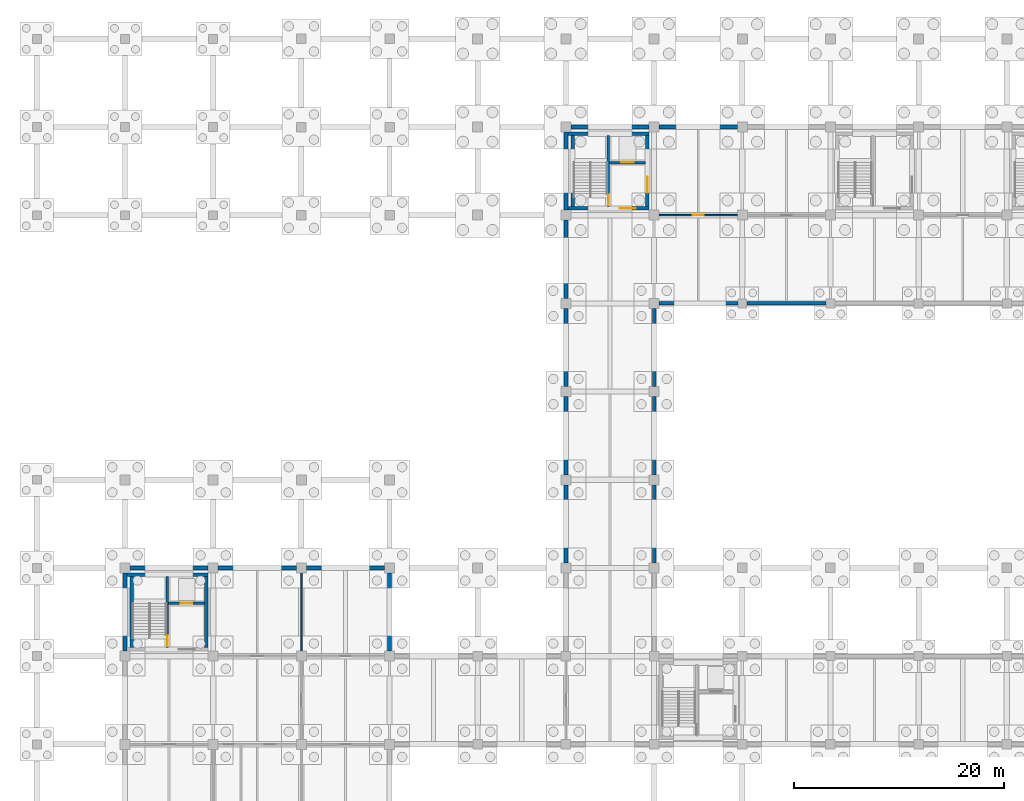
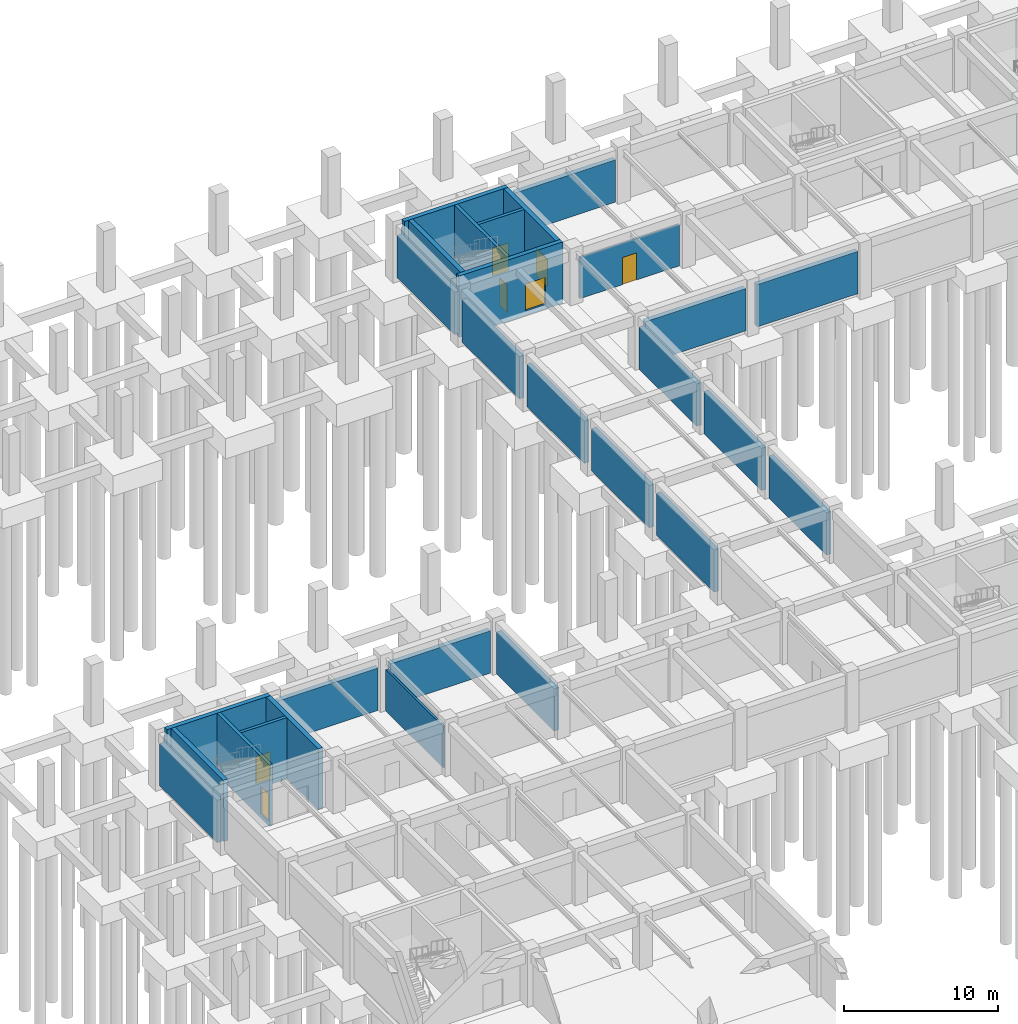
# One storey, part 21 of 29: 30 walls, 7 doors, 7 openings.
"""IFC4 building model written with IfcOpenShell, lengths in metres."""

from ifc_helpers import new_model, si_unit, direction, frame, frame_2d, origin, place, context, subcontext, project, spatial, rectangle, extrude, material, layer, layer_set, type_object, element, fill, save


model = new_model("IFC4")

# Units and contexts
model_context = context("Model", 3, precision=1e-05, world=origin(), true_north=direction((0.0, 1.0)))
body_context = subcontext(model_context, "Body", "Model", "MODEL_VIEW")
ifc_project = project(units=[si_unit("LENGTHUNIT", "METRE"), si_unit("AREAUNIT", "SQUARE_METRE"), si_unit("VOLUMEUNIT", "CUBIC_METRE"), si_unit("PLANEANGLEUNIT", "RADIAN"), si_unit("MASSUNIT", "GRAM", prefix="KILO")], contexts=[model_context])

# Site, building, storey
site_placement = place(None, origin())
site = spatial("IfcSite", under=ifc_project, at=site_placement, CompositionType="ELEMENT")
building_placement = place(site_placement, origin())
building = spatial("IfcBuilding", under=site, at=building_placement, Name="Porcellanite Civic Hall", CompositionType="ELEMENT")
storey_placement = place(building_placement, frame((0.0, 0.0, -4.5)))
storey = spatial("IfcBuildingStorey", under=building, at=storey_placement, Name="B1", CompositionType="ELEMENT", Elevation=-4.5)

# Wall, opening, door
ifc_material_1 = material(Name="Concrete N40 (40 MPa)", Category="concrete")
ifc_layer_1 = layer(ifc_material_1, 0.239990234375)
ifc_layer_set_1 = layer_set([ifc_layer_1], Name="Concrete N40 (40 MPa)")
wall_type_1 = type_object("IfcWallType", Name="CW-SH240", PredefinedType="SHEAR", material=ifc_layer_set_1)
wall_1_placement = place(storey_placement, frame((12.43994140625, 59.610107421875, -0.35009765625), z_axis=(0.0, 0.0, 1.0), x_axis=(0.0, 1.0, 0.0)))
wall_1 = element("IfcWall", 1, at=wall_1_placement, inside=storey, type_object=wall_type_1, Name="Core divider C2 B1", PredefinedType="SHEAR", context=body_context, shape_type="SweptSolid", body=[
    extrude(rectangle(XDim=6.77978515625, YDim=0.239990234375, at=frame_2d((3.389892578125, 0.0))), origin(), (0.0, 0.0, 1.0), 4.85009765625),
])
opening_1_placement = place(wall_1_placement, frame((0.1201171875, 0.0, 0.35009765625)))
opening_1 = element("IfcOpeningElement", 2, at=opening_1_placement, cuts=wall_1, Name="Opening FD-C2-B1-ST", PredefinedType="OPENING", context=body_context, shape_type="SweptSolid", body=[
    extrude(rectangle(XDim=1.0, YDim=2.14990234375, at=frame_2d((0.5, 1.074951171875))), frame((0.0, 0.1201171875, 0.0), z_axis=(0.0, -1.0, 0.0), x_axis=(1.0, 0.0, 0.0)), (0.0, 0.0, 1.0), 0.239990234375),
])
ifc_material_2 = material(Name="Fire-rated solid-core hardwood timber", Category="wood")
door_type_1 = type_object("IfcDoorType", Name="DR-FD100", OperationType="NOTDEFINED", PredefinedType="DOOR", material=ifc_material_2)
door_1_placement = place(opening_1_placement, origin())
door_1 = element("IfcDoor", 3, at=door_1_placement, inside=storey, type_object=door_type_1, Name="Fire stair door FD-C2-B1-ST", OperationType="SINGLE_SWING_LEFT", OverallHeight=2.14990234375, OverallWidth=1.0, PredefinedType="DOOR", context=body_context, shape_type="SweptSolid", body=[
    extrude(rectangle(XDim=1.0, YDim=2.14990234375, at=frame_2d((0.5, 1.074951171875))), frame((0.0, 0.02490234375, 0.0), z_axis=(0.0, -1.0, 0.0), x_axis=(1.0, 0.0, 0.0)), (0.0, 0.0, 1.0), 0.050048828125),
])
fill(opening_1, door_1)

wall_2_placement = place(storey_placement, frame((12.56005859375, 63.820068359375, -0.35009765625), z_axis=(0.0, 0.0, 1.0), x_axis=(1.0, 0.0, 0.0)))
wall_2 = element("IfcWall", 4, at=wall_2_placement, inside=storey, type_object=wall_type_1, Name="Lift shaft wall C2 B1", PredefinedType="SHEAR", context=body_context, shape_type="SweptSolid", body=[
    extrude(rectangle(XDim=3.429931640625, YDim=0.239990234375, at=frame_2d((1.71484375, 0.0))), origin(), (0.0, 0.0, 1.0), 4.85009765625),
])
opening_2_placement = place(wall_2_placement, frame((1.1650390625, 0.0, 0.35009765625)))
opening_2 = element("IfcOpeningElement", 5, at=opening_2_placement, cuts=wall_2, Name="Opening LD-04", PredefinedType="OPENING", context=body_context, shape_type="SweptSolid", body=[
    extrude(rectangle(XDim=1.10009765625, YDim=2.14990234375, at=frame_2d((0.550048828125, 1.074951171875))), frame((0.0, 0.1201171875, 0.0), z_axis=(0.0, -1.0, 0.0), x_axis=(1.0, 0.0, 0.0)), (0.0, 0.0, 1.0), 0.239990234375),
])
ifc_material_3 = material(Name="Brushed stainless steel 316", Category="steel")
door_type_2 = type_object("IfcDoorType", Name="DR-LD110", OperationType="DOUBLE_DOOR_SLIDING", PredefinedType="DOOR", material=ifc_material_3)
door_2_placement = place(opening_2_placement, origin())
door_2 = element("IfcDoor", 6, at=door_2_placement, inside=storey, type_object=door_type_2, Name="Lift landing sliding door LD-04 B1", OperationType="DOUBLE_DOOR_SLIDING", OverallHeight=2.14990234375, OverallWidth=1.10009765625, PredefinedType="DOOR", context=body_context, shape_type="SweptSolid", body=[
    extrude(rectangle(XDim=1.10009765625, YDim=2.14990234375, at=frame_2d((0.550048828125, 1.074951171875))), frame((0.0, 0.02490234375, 0.0), z_axis=(0.0, -1.0, 0.0), x_axis=(1.0, 0.0, 0.0)), (0.0, 0.0, 1.0), 0.050048828125),
])
fill(opening_2, door_2)

wall_3_placement = place(storey_placement, frame((54.43994140625, 101.610107421875, -0.35009765625), z_axis=(0.0, 0.0, 1.0), x_axis=(0.0, 1.0, 0.0)))
wall_3 = element("IfcWall", 7, at=wall_3_placement, inside=storey, type_object=wall_type_1, Name="Core divider C3 B1", PredefinedType="SHEAR", context=body_context, shape_type="SweptSolid", body=[
    extrude(rectangle(XDim=6.77978515625, YDim=0.239990234375, at=frame_2d((3.389892578125, 0.0))), origin(), (0.0, 0.0, 1.0), 4.85009765625),
])
opening_3_placement = place(wall_3_placement, frame((0.1201171875, 0.0, 0.35009765625)))
opening_3 = element("IfcOpeningElement", 8, at=opening_3_placement, cuts=wall_3, Name="Opening FD-C3-B1-ST", PredefinedType="OPENING", context=body_context, shape_type="SweptSolid", body=[
    extrude(rectangle(XDim=1.0, YDim=2.14990234375, at=frame_2d((0.5, 1.074951171875))), frame((0.0, 0.1201171875, 0.0), z_axis=(0.0, -1.0, 0.0), x_axis=(1.0, 0.0, 0.0)), (0.0, 0.0, 1.0), 0.239990234375),
])
door_3_placement = place(opening_3_placement, origin())
door_3 = element("IfcDoor", 9, at=door_3_placement, inside=storey, type_object=door_type_1, Name="Fire stair door FD-C3-B1-ST", OperationType="SINGLE_SWING_RIGHT", OverallHeight=2.14990234375, OverallWidth=1.0, PredefinedType="DOOR", context=body_context, shape_type="SweptSolid", body=[
    extrude(rectangle(XDim=1.0, YDim=2.14990234375, at=frame_2d((0.5, 1.074951171875))), frame((0.0, 0.02490234375, 0.0), z_axis=(0.0, -1.0, 0.0), x_axis=(1.0, 0.0, 0.0)), (0.0, 0.0, 1.0), 0.050048828125),
])
fill(opening_3, door_3)

wall_4_placement = place(storey_placement, frame((54.56005859375, 105.820068359375, -0.35009765625), z_axis=(0.0, 0.0, 1.0), x_axis=(1.0, 0.0, 0.0)))
wall_4 = element("IfcWall", 10, at=wall_4_placement, inside=storey, type_object=wall_type_1, Name="Lift shaft wall C3 B1", PredefinedType="SHEAR", context=body_context, shape_type="SweptSolid", body=[
    extrude(rectangle(XDim=3.429931640625, YDim=0.239990234375, at=frame_2d((1.71484375, 0.0))), origin(), (0.0, 0.0, 1.0), 4.85009765625),
])
opening_4_placement = place(wall_4_placement, frame((1.114990234375, 0.0, 0.35009765625)))
opening_4 = element("IfcOpeningElement", 11, at=opening_4_placement, cuts=wall_4, Name="Opening LD-01", PredefinedType="OPENING", context=body_context, shape_type="SweptSolid", body=[
    extrude(rectangle(XDim=1.199951171875, YDim=2.199951171875, at=frame_2d((0.60009765625, 1.10009765625))), frame((0.0, 0.1201171875, 0.0), z_axis=(0.0, -1.0, 0.0), x_axis=(1.0, 0.0, 0.0)), (0.0, 0.0, 1.0), 0.239990234375),
])
ifc_material_4 = material(Name="Brushed stainless steel 316", Category="steel")
door_type_3 = type_object("IfcDoorType", Name="DR-LD120", OperationType="DOUBLE_DOOR_SLIDING", PredefinedType="DOOR", material=ifc_material_4)
door_4_placement = place(opening_4_placement, origin())
door_4 = element("IfcDoor", 12, at=door_4_placement, inside=storey, type_object=door_type_3, Name="Lift landing sliding door LD-01 B1", OperationType="DOUBLE_DOOR_SLIDING", OverallHeight=2.199951171875, OverallWidth=1.199951171875, PredefinedType="DOOR", context=body_context, shape_type="SweptSolid", body=[
    extrude(rectangle(XDim=1.199951171875, YDim=2.199951171875, at=frame_2d((0.60009765625, 1.10009765625))), frame((0.0, 0.02490234375, 0.0), z_axis=(0.0, -1.0, 0.0), x_axis=(1.0, 0.0, 0.0)), (0.0, 0.0, 1.0), 0.050048828125),
])
fill(opening_4, door_4)

# Walls
ifc_material_5 = material(Name="Concrete N40 (40 MPa)", Category="concrete")
ifc_layer_2 = layer(ifc_material_5, 0.330078125)
ifc_layer_set_2 = layer_set([ifc_layer_2], Name="Concrete N40 (40 MPa)")
wall_type_2 = type_object("IfcWallType", Name="CW-SH330", PredefinedType="SHEAR", material=ifc_layer_set_2)
wall_5_placement = place(storey_placement, frame((9.044921875, 59.610107421875, -0.35009765625), z_axis=(0.0, 0.0, 1.0), x_axis=(0.0, 1.0, 0.0)))
element("IfcWall", 13, at=wall_5_placement, inside=storey, type_object=wall_type_2, Name="Core wall C2 B1 W", PredefinedType="SHEAR", context=body_context, shape_type="SweptSolid", body=[
    extrude(rectangle(XDim=6.77978515625, YDim=0.330078125, at=frame_2d((3.389892578125, 0.0))), origin(), (0.0, 0.0, 1.0), 4.85009765625),
])
wall_6_placement = place(storey_placement, frame((8.574951171875, 66.554931640625, -0.35009765625), z_axis=(0.0, 0.0, 1.0), x_axis=(1.0, 0.0, 0.0)))
element("IfcWall", 14, at=wall_6_placement, inside=storey, type_object=wall_type_2, Name="Core wall C2 B1 N", PredefinedType="SHEAR", context=body_context, shape_type="SweptSolid", body=[
    extrude(rectangle(XDim=7.7451171875, YDim=0.330078125, at=frame_2d((3.87255859375, 0.0))), origin(), (0.0, 0.0, 1.0), 4.85009765625),
])
wall_7_placement = place(storey_placement, frame((16.155029296875, 66.389892578125, -0.35009765625), z_axis=(0.0, 0.0, 1.0), x_axis=(0.0, -1.0, 0.0)))
element("IfcWall", 15, at=wall_7_placement, inside=storey, type_object=wall_type_2, Name="Core wall C2 B1 E", PredefinedType="SHEAR", context=body_context, shape_type="SweptSolid", body=[
    extrude(rectangle(XDim=6.77978515625, YDim=0.330078125, at=frame_2d((3.389892578125, 0.0))), origin(), (0.0, 0.0, 1.0), 4.85009765625),
])

# Wall, opening, door
wall_8_placement = place(storey_placement, frame((58.320068359375, 101.445068359375, -0.35009765625), z_axis=(0.0, 0.0, 1.0), x_axis=(-1.0, 0.0, 0.0)))
wall_8 = element("IfcWall", 16, at=wall_8_placement, inside=storey, type_object=wall_type_2, Name="Core wall C3 B1 S", PredefinedType="SHEAR", context=body_context, shape_type="SweptSolid", body=[
    extrude(rectangle(XDim=7.7451171875, YDim=0.330078125, at=frame_2d((3.87255859375, 0.0))), origin(), (0.0, 0.0, 1.0), 4.85009765625),
])
opening_5_placement = place(wall_8_placement, frame((1.280029296875, 0.0, 0.35009765625)))
opening_5 = element("IfcOpeningElement", 17, at=opening_5_placement, cuts=wall_8, Name="Opening FD-C3-B1-LS", PredefinedType="OPENING", context=body_context, shape_type="SweptSolid", body=[
    extrude(rectangle(XDim=1.5, YDim=2.14990234375, at=frame_2d((0.75, 1.074951171875))), frame((0.0, 0.1650390625, 0.0), z_axis=(0.0, -1.0, 0.0), x_axis=(1.0, 0.0, 0.0)), (0.0, 0.0, 1.0), 0.330078125),
])
ifc_material_6 = material(Name="Fire-rated steel and Georgian wired glass", Category="steel")
door_type_4 = type_object("IfcDoorType", Name="DR-FD150", OperationType="DOUBLE_DOOR_SINGLE_SWING", PredefinedType="DOOR", material=ifc_material_6)
door_5_placement = place(opening_5_placement, origin())
door_5 = element("IfcDoor", 18, at=door_5_placement, inside=storey, type_object=door_type_4, Name="Fire lobby south door FD-C3-B1-LS", OperationType="DOUBLE_DOOR_SINGLE_SWING", OverallHeight=2.14990234375, OverallWidth=1.5, PredefinedType="DOOR", context=body_context, shape_type="SweptSolid", body=[
    extrude(rectangle(XDim=1.5, YDim=2.14990234375, at=frame_2d((0.75, 1.074951171875))), frame((0.0, 0.02490234375, 0.0), z_axis=(0.0, -1.0, 0.0), x_axis=(1.0, 0.0, 0.0)), (0.0, 0.0, 1.0), 0.050048828125),
])
fill(opening_5, door_5)

# Walls
wall_9_placement = place(storey_placement, frame((51.044921875, 101.610107421875, -0.35009765625), z_axis=(0.0, 0.0, 1.0), x_axis=(0.0, 1.0, 0.0)))
element("IfcWall", 19, at=wall_9_placement, inside=storey, type_object=wall_type_2, Name="Core wall C3 B1 W", PredefinedType="SHEAR", context=body_context, shape_type="SweptSolid", body=[
    extrude(rectangle(XDim=6.77978515625, YDim=0.330078125, at=frame_2d((3.389892578125, 0.0))), origin(), (0.0, 0.0, 1.0), 4.85009765625),
])
wall_10_placement = place(storey_placement, frame((50.574951171875, 108.554931640625, -0.35009765625), z_axis=(0.0, 0.0, 1.0), x_axis=(1.0, 0.0, 0.0)))
element("IfcWall", 20, at=wall_10_placement, inside=storey, type_object=wall_type_2, Name="Core wall C3 B1 N", PredefinedType="SHEAR", context=body_context, shape_type="SweptSolid", body=[
    extrude(rectangle(XDim=7.7451171875, YDim=0.330078125, at=frame_2d((3.87255859375, 0.0))), origin(), (0.0, 0.0, 1.0), 4.85009765625),
])

# Wall, opening, door
wall_11_placement = place(storey_placement, frame((58.155029296875, 108.389892578125, -0.35009765625), z_axis=(0.0, 0.0, 1.0), x_axis=(0.0, -1.0, 0.0)))
wall_11 = element("IfcWall", 21, at=wall_11_placement, inside=storey, type_object=wall_type_2, Name="Core wall C3 B1 E", PredefinedType="SHEAR", context=body_context, shape_type="SweptSolid", body=[
    extrude(rectangle(XDim=6.77978515625, YDim=0.330078125, at=frame_2d((3.389892578125, 0.0))), origin(), (0.0, 0.0, 1.0), 4.85009765625),
])
opening_6_placement = place(wall_11_placement, frame((3.93994140625, 0.0, 0.35009765625)))
opening_6 = element("IfcOpeningElement", 22, at=opening_6_placement, cuts=wall_11, Name="Opening FD-C3-B1-LB", PredefinedType="OPENING", context=body_context, shape_type="SweptSolid", body=[
    extrude(rectangle(XDim=1.5, YDim=2.14990234375, at=frame_2d((0.75, 1.074951171875))), frame((0.0, 0.1650390625, 0.0), z_axis=(0.0, -1.0, 0.0), x_axis=(1.0, 0.0, 0.0)), (0.0, 0.0, 1.0), 0.330078125),
])
door_6_placement = place(opening_6_placement, origin())
door_6 = element("IfcDoor", 23, at=door_6_placement, inside=storey, type_object=door_type_4, Name="Fire lobby double door FD-C3-B1-LB", OperationType="DOUBLE_DOOR_SINGLE_SWING", OverallHeight=2.14990234375, OverallWidth=1.5, PredefinedType="DOOR", context=body_context, shape_type="SweptSolid", body=[
    extrude(rectangle(XDim=1.5, YDim=2.14990234375, at=frame_2d((0.75, 1.074951171875))), frame((0.0, 0.02490234375, 0.0), z_axis=(0.0, -1.0, 0.0), x_axis=(1.0, 0.0, 0.0)), (0.0, 0.0, 1.0), 0.050048828125),
])
fill(opening_6, door_6)

# Walls
ifc_material_7 = material(Name="Concrete N40 (40 MPa)", Category="concrete")
ifc_layer_3 = layer(ifc_material_7, 0.35009765625)
ifc_layer_set_3 = layer_set([ifc_layer_3], Name="Concrete N40 (40 MPa)")
wall_type_3 = type_object("IfcWallType", Name="EW-BSM350", PredefinedType="SOLIDWALL", material=ifc_layer_set_3)
wall_12_placement = place(storey_placement, frame((8.39990234375, 59.27587890625, 0.0), z_axis=(0.0, 0.0, 1.0), x_axis=(0.0, 1.0, 0.0)))
element("IfcWall", 24, at=wall_12_placement, inside=storey, type_object=wall_type_3, Name="Exterior wall B1 W 2-8", PredefinedType="SOLIDWALL", context=body_context, shape_type="SweptSolid", body=[
    extrude(rectangle(XDim=7.4482421875, YDim=0.35009765625, at=frame_2d((3.72412109375, 0.0))), origin(), (0.0, 0.0, 1.0), 3.35009765625),
])
wall_13_placement = place(storey_placement, frame((8.8759765625, 67.199951171875, 0.0), z_axis=(0.0, 0.0, 1.0), x_axis=(1.0, 0.0, 0.0)))
element("IfcWall", 25, at=wall_13_placement, inside=storey, type_object=wall_type_3, Name="Exterior wall B1 N 2-8", PredefinedType="SOLIDWALL", context=body_context, shape_type="SweptSolid", body=[
    extrude(rectangle(XDim=7.447998046875, YDim=0.35009765625, at=frame_2d((3.72412109375, 0.0))), origin(), (0.0, 0.0, 1.0), 3.35009765625),
])
wall_14_placement = place(storey_placement, frame((17.27587890625, 67.199951171875, 0.0), z_axis=(0.0, 0.0, 1.0), x_axis=(1.0, 0.0, 0.0)))
element("IfcWall", 26, at=wall_14_placement, inside=storey, type_object=wall_type_3, Name="Exterior wall B1 N 3-8", PredefinedType="SOLIDWALL", context=body_context, shape_type="SweptSolid", body=[
    extrude(rectangle(XDim=7.4482421875, YDim=0.35009765625, at=frame_2d((3.72412109375, 0.0))), origin(), (0.0, 0.0, 1.0), 3.35009765625),
])
wall_15_placement = place(storey_placement, frame((25.676025390625, 67.199951171875, 0.0), z_axis=(0.0, 0.0, 1.0), x_axis=(1.0, 0.0, 0.0)))
element("IfcWall", 27, at=wall_15_placement, inside=storey, type_object=wall_type_3, Name="Exterior wall B1 N 4-8", PredefinedType="SOLIDWALL", context=body_context, shape_type="SweptSolid", body=[
    extrude(rectangle(XDim=7.447998046875, YDim=0.35009765625, at=frame_2d((3.72412109375, 0.0))), origin(), (0.0, 0.0, 1.0), 3.35009765625),
])
wall_16_placement = place(storey_placement, frame((33.60009765625, 66.72412109375, 0.0), z_axis=(0.0, 0.0, 1.0), x_axis=(0.0, -1.0, 0.0)))
element("IfcWall", 28, at=wall_16_placement, inside=storey, type_object=wall_type_3, Name="Exterior wall B1 E 4-8", PredefinedType="SOLIDWALL", context=body_context, shape_type="SweptSolid", body=[
    extrude(rectangle(XDim=7.4482421875, YDim=0.35009765625, at=frame_2d((3.72412109375, 0.0))), origin(), (0.0, 0.0, 1.0), 3.35009765625),
])
for number, where, z_axis, x_axis, name in (
    (29, (50.39990234375, 67.676025390625, 0.0), (0.0, 0.0, 1.0), (0.0, 1.0, 0.0), "Exterior wall B1 W 7-9"),
    (30, (58.800048828125, 75.1240234375, 0.0), (0.0, 0.0, 1.0), (0.0, -1.0, 0.0), "Exterior wall B1 E 7-9"),
    (31, (50.39990234375, 76.075927734375, 0.0), (0.0, 0.0, 1.0), (0.0, 1.0, 0.0), "Exterior wall B1 W 7-10"),
    (32, (58.800048828125, 83.52392578125, 0.0), (0.0, 0.0, 1.0), (0.0, -1.0, 0.0), "Exterior wall B1 E 7-10"),
    (33, (50.39990234375, 84.47607421875, 0.0), (0.0, 0.0, 1.0), (0.0, 1.0, 0.0), "Exterior wall B1 W 7-11"),
    (34, (58.800048828125, 91.924072265625, 0.0), (0.0, 0.0, 1.0), (0.0, -1.0, 0.0), "Exterior wall B1 E 7-11"),
    (35, (50.39990234375, 92.8759765625, 0.0), (0.0, 0.0, 1.0), (0.0, 1.0, 0.0), "Exterior wall B1 W 7-12"),
):
    element("IfcWall", number, at=place(storey_placement, frame(where, z_axis=z_axis, x_axis=x_axis)), inside=storey, type_object=wall_type_3, Name=name, PredefinedType="SOLIDWALL", context=body_context, shape_type="SweptSolid", body=[
        extrude(rectangle(XDim=7.447998046875, YDim=0.35009765625, at=frame_2d((3.72412109375, 0.0))), origin(), (0.0, 0.0, 1.0), 3.35009765625),
    ])
wall_17_placement = place(storey_placement, frame((50.39990234375, 101.27587890625, 0.0), z_axis=(0.0, 0.0, 1.0), x_axis=(0.0, 1.0, 0.0)))
element("IfcWall", 36, at=wall_17_placement, inside=storey, type_object=wall_type_3, Name="Exterior wall B1 W 7-13", PredefinedType="SOLIDWALL", context=body_context, shape_type="SweptSolid", body=[
    extrude(rectangle(XDim=7.4482421875, YDim=0.35009765625, at=frame_2d((3.72412109375, 0.0))), origin(), (0.0, 0.0, 1.0), 3.35009765625),
])
wall_18_placement = place(storey_placement, frame((50.8759765625, 109.199951171875, 0.0), z_axis=(0.0, 0.0, 1.0), x_axis=(1.0, 0.0, 0.0)))
element("IfcWall", 37, at=wall_18_placement, inside=storey, type_object=wall_type_3, Name="Exterior wall B1 N 7-13", PredefinedType="SOLIDWALL", context=body_context, shape_type="SweptSolid", body=[
    extrude(rectangle(XDim=7.447998046875, YDim=0.35009765625, at=frame_2d((3.72412109375, 0.0))), origin(), (0.0, 0.0, 1.0), 3.35009765625),
])
wall_19_placement = place(storey_placement, frame((66.77392578125, 92.39990234375, 0.0), z_axis=(0.0, 0.0, 1.0), x_axis=(-1.0, 0.0, 0.0)))
element("IfcWall", 38, at=wall_19_placement, inside=storey, type_object=wall_type_3, Name="Exterior wall B1 S 8-12", PredefinedType="SOLIDWALL", context=body_context, shape_type="SweptSolid", body=[
    extrude(rectangle(XDim=7.498046875, YDim=0.35009765625, at=frame_2d((3.7490234375, 0.0))), origin(), (0.0, 0.0, 1.0), 3.35009765625),
])
wall_20_placement = place(storey_placement, frame((59.27587890625, 109.199951171875, 0.0), z_axis=(0.0, 0.0, 1.0), x_axis=(1.0, 0.0, 0.0)))
element("IfcWall", 39, at=wall_20_placement, inside=storey, type_object=wall_type_3, Name="Exterior wall B1 N 8-13", PredefinedType="SOLIDWALL", context=body_context, shape_type="SweptSolid", body=[
    extrude(rectangle(XDim=7.4482421875, YDim=0.35009765625, at=frame_2d((3.72412109375, 0.0))), origin(), (0.0, 0.0, 1.0), 3.35009765625),
])
wall_21_placement = place(storey_placement, frame((75.174072265625, 92.39990234375, 0.0), z_axis=(0.0, 0.0, 1.0), x_axis=(-1.0, 0.0, 0.0)))
element("IfcWall", 40, at=wall_21_placement, inside=storey, type_object=wall_type_3, Name="Exterior wall B1 S 9-12", PredefinedType="SOLIDWALL", context=body_context, shape_type="SweptSolid", body=[
    extrude(rectangle(XDim=7.548095703125, YDim=0.35009765625, at=frame_2d((3.77392578125, 0.0))), origin(), (0.0, 0.0, 1.0), 3.35009765625),
])

# Wall, opening, door
ifc_material_8 = material(Name="Fire-rated plasterboard on light-gauge steel studs", Category="steel")
ifc_layer_4 = layer(ifc_material_8, 0.14794921875)
ifc_layer_set_4 = layer_set([ifc_layer_4], Name="Fire-rated plasterboard on light-gauge steel studs")
wall_type_4 = type_object("IfcWallType", Name="IW-FR148", PredefinedType="PARTITIONING", material=ifc_layer_set_4)
wall_22_placement = place(storey_placement, frame((59.277099609375, 100.800048828125, 0.0), z_axis=(0.0, 0.0, 1.0), x_axis=(1.0, 0.0, 0.0)))
wall_22 = element("IfcWall", 41, at=wall_22_placement, inside=storey, type_object=wall_type_4, Name="Fire compartment wall B1 H 8-12", PredefinedType="PARTITIONING", context=body_context, shape_type="SweptSolid", body=[
    extrude(rectangle(XDim=7.44580078125, YDim=0.14794921875, at=frame_2d((3.722900390625, 0.0))), origin(), (0.0, 0.0, 1.0), 3.27001953125),
])
opening_7_placement = place(wall_22_placement, frame((3.197998046875, 0.0, 0.0)))
opening_7 = element("IfcOpeningElement", 42, at=opening_7_placement, cuts=wall_22, Name="Opening D-B1-008", PredefinedType="OPENING", context=body_context, shape_type="SweptSolid", body=[
    extrude(rectangle(XDim=1.050048828125, YDim=2.14990234375, at=frame_2d((0.52490234375, 1.074951171875))), frame((0.0, 0.073974609375, 0.0), z_axis=(0.0, -1.0, 0.0), x_axis=(1.0, 0.0, 0.0)), (0.0, 0.0, 1.0), 0.14794921875),
])
ifc_material_9 = material(Name="Fire-rated solid-core hardwood timber", Category="wood")
door_type_5 = type_object("IfcDoorType", Name="DR-FD105", OperationType="NOTDEFINED", PredefinedType="DOOR", material=ifc_material_9)
door_7_placement = place(opening_7_placement, origin())
door_7 = element("IfcDoor", 43, at=door_7_placement, inside=storey, type_object=door_type_5, Name="Interior door D-B1-008", OperationType="SINGLE_SWING_RIGHT", OverallHeight=2.14990234375, OverallWidth=1.050048828125, PredefinedType="DOOR", context=body_context, shape_type="SweptSolid", body=[
    extrude(rectangle(XDim=1.050048828125, YDim=2.14990234375, at=frame_2d((0.52490234375, 1.074951171875))), frame((0.0, 0.02490234375, 0.0), z_axis=(0.0, -1.0, 0.0), x_axis=(1.0, 0.0, 0.0)), (0.0, 0.0, 1.0), 0.050048828125),
])
fill(opening_7, door_7)

# Wall
wall_23_placement = place(storey_placement, frame((25.199951171875, 59.277099609375, 0.0), z_axis=(0.0, 0.0, 1.0), x_axis=(0.0, 1.0, 0.0)))
element("IfcWall", 44, at=wall_23_placement, inside=storey, type_object=wall_type_4, Name="Fire compartment wall B1 V 3-8", PredefinedType="PARTITIONING", context=body_context, shape_type="SweptSolid", body=[
    extrude(rectangle(XDim=7.44580078125, YDim=0.14794921875, at=frame_2d((3.722900390625, 0.0))), origin(), (0.0, 0.0, 1.0), 3.27001953125),
])

save(model, "model.ifc")
